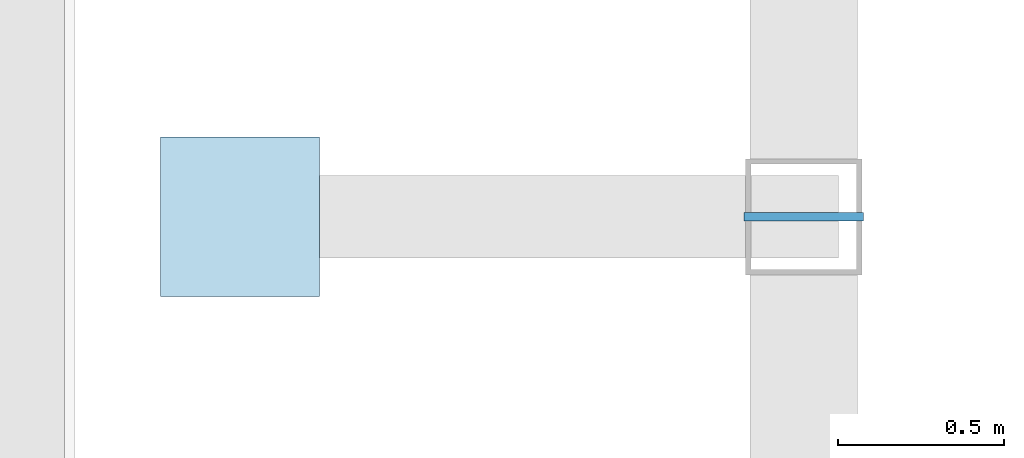
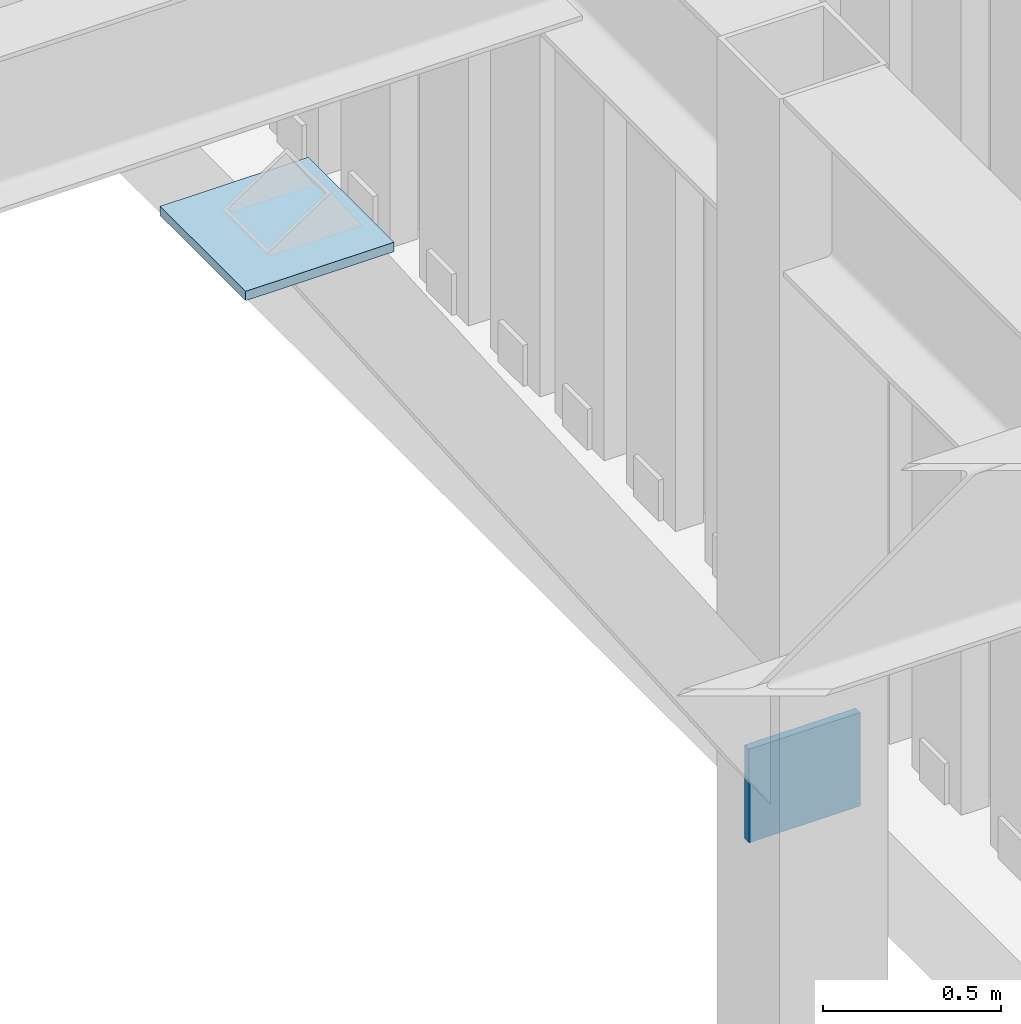
# One storey, part 82 of 126: 2 plates.
"""IFC4 building model written with IfcOpenShell, lengths in metres."""

from ifc_helpers import new_model, si_unit, derived_unit, direction, frame, origin, origin_2d, place, context, subcontext, project, spatial, rectangle, extrude, material, layer, layer_set, type_object, element, save


model = new_model("IFC4")

# Units and contexts
model_context = context("Model", 3, precision=1e-05, world=origin(), true_north=direction((0.0, 1.0)))
body_context = subcontext(model_context, "Body", "Model", "MODEL_VIEW")
ifc_project = project(units=[si_unit("LENGTHUNIT", "METRE"), si_unit("AREAUNIT", "SQUARE_METRE"), si_unit("VOLUMEUNIT", "CUBIC_METRE"), si_unit("PLANEANGLEUNIT", "RADIAN"), si_unit("MASSUNIT", "GRAM", prefix="KILO"), derived_unit("THERMALTRANSMITTANCEUNIT", [(si_unit("MASSUNIT", "GRAM", prefix="KILO"), 1), (si_unit("TIMEUNIT", "SECOND"), -3), (si_unit("THERMODYNAMICTEMPERATUREUNIT", "KELVIN"), -1)])], contexts=[model_context])

# Site, building, storey
site_placement = place(None, origin())
site = spatial("IfcSite", under=ifc_project, at=site_placement, CompositionType="ELEMENT")
building_placement = place(site_placement, origin())
building = spatial("IfcBuilding", under=site, at=building_placement, Name="Valcora Ridge Arena", CompositionType="ELEMENT")
storey_placement = place(building_placement, frame((0.0, 0.0, 11.39990234375)))
storey = spatial("IfcBuildingStorey", under=building, at=storey_placement, Name="L02", CompositionType="ELEMENT", Elevation=11.39990234375)

# Plates
ifc_material = material(Name="Steel ASTM A572 Grade 50", Category="steel")
ifc_layer_1 = layer(ifc_material, 0.031982421875, Name="Steel ASTM A572 Grade 50")
ifc_layer_set_1 = layer_set([ifc_layer_1], Name="Steel ASTM A572 Grade 50")
plate_type_1 = type_object("IfcPlateType", Name="TY-PLATE-PL-CAP-450", PredefinedType="USERDEFINED", material=ifc_layer_set_1)
plate_1_placement = place(storey_placement, frame((132.35009765625, 28.0, 4.4482421875), z_axis=(0.0, 0.0, 1.0), x_axis=(1.0, 0.0, 0.0)))
element("IfcPlate", 1, at=plate_1_placement, inside=storey, type_object=plate_type_1, Name="PL-CAP-450 KB-GP-0005", ObjectType="GUSSET_PLATE", PredefinedType="USERDEFINED", context=body_context, shape_type="SweptSolid", body=[
    extrude(rectangle(XDim=0.47998046875, YDim=0.47998046875, at=origin_2d()), origin(), (0.0, 0.0, 1.0), 0.031982421875),
])
ifc_layer_2 = layer(ifc_material, 0.02490234375, Name="Steel ASTM A572 Grade 50")
ifc_layer_set_2 = layer_set([ifc_layer_2], Name="Steel ASTM A572 Grade 50")
plate_type_2 = type_object("IfcPlateType", Name="TY-PLATE-PL-GUS-25E", PredefinedType="USERDEFINED", material=ifc_layer_set_2)
plate_2_placement = place(storey_placement, frame((134.050048828125, 28.0, 1.83984375), z_axis=(0.0, 0.0, 1.0), x_axis=(1.0, 0.0, 0.0)))
element("IfcPlate", 2, at=plate_2_placement, inside=storey, type_object=plate_type_2, Name="PL-GUS-25E KB-GP-0023", ObjectType="GUSSET_PLATE", PredefinedType="USERDEFINED", context=body_context, shape_type="SweptSolid", body=[
    extrude(rectangle(XDim=0.360107421875, YDim=0.02490234375, at=origin_2d()), origin(), (0.0, 0.0, 1.0), 0.320068359375),
])

save(model, "model.ifc")
